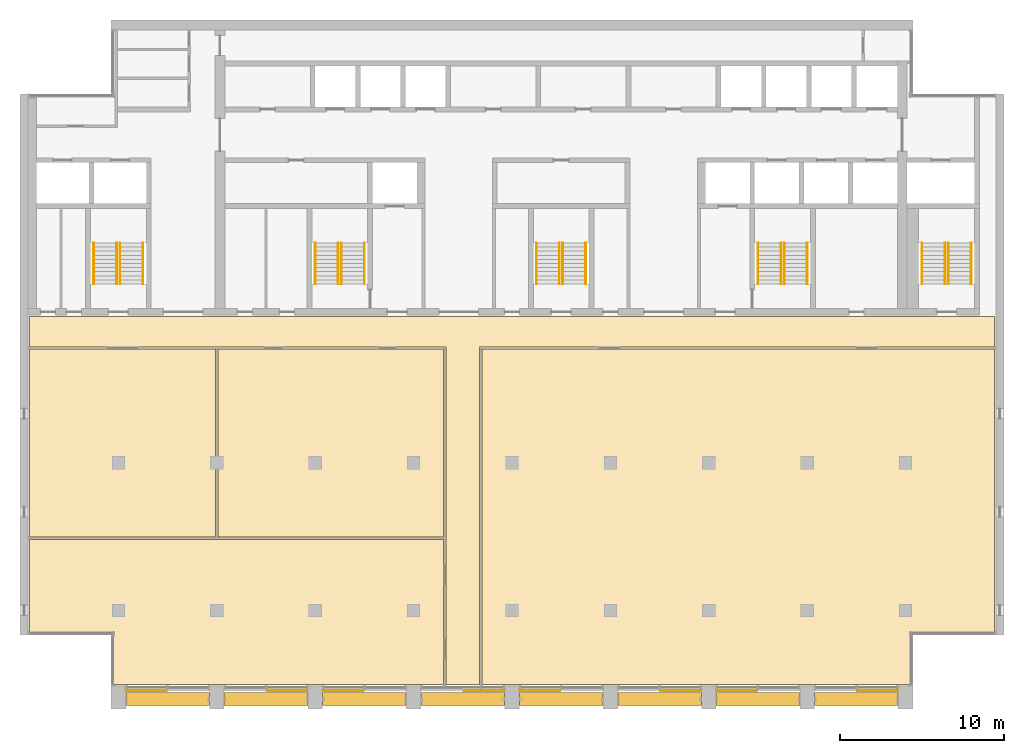
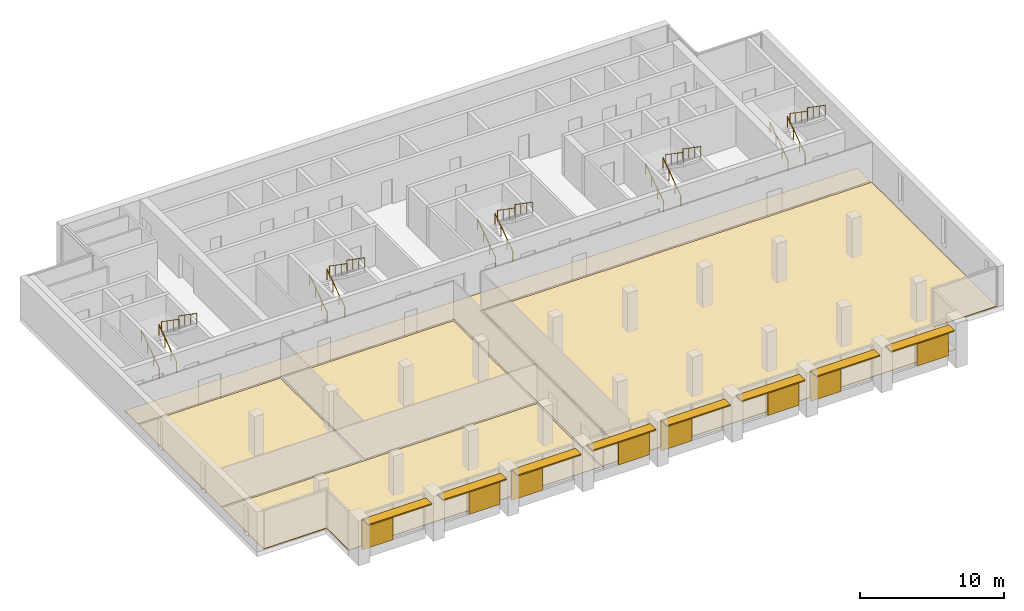
# One storey, part 14 of 14: 20 railings, 16 shading devices, 5 coverings, 5 elements without a shape of their own.
"""IFC4 building model written with IfcOpenShell, lengths in metres."""

from ifc_helpers import new_model, si_unit, direction, frame, origin, origin_2d, place, context, subcontext, project, spatial, polyline, rectangle, circle, outline, extrude, material, layer, layer_set, material_profile, profile_set, type_object, element, aggregate, save


model = new_model("IFC4")

# Units and contexts
model_context = context("Model", 3, precision=1e-05, world=origin(), true_north=direction((0.0, 1.0)))
body_context = subcontext(model_context, "Body", "Model", "MODEL_VIEW")
ifc_project = project(units=[si_unit("LENGTHUNIT", "METRE"), si_unit("AREAUNIT", "SQUARE_METRE"), si_unit("VOLUMEUNIT", "CUBIC_METRE"), si_unit("PLANEANGLEUNIT", "RADIAN"), si_unit("MASSUNIT", "GRAM", prefix="KILO")], contexts=[model_context])

# Site, building, storey
site_placement = place(None, origin())
site = spatial("IfcSite", under=ifc_project, at=site_placement, CompositionType="ELEMENT")
building_placement = place(site_placement, origin())
building = spatial("IfcBuilding", under=site, at=building_placement, Name="Calvaro Tower", CompositionType="ELEMENT")
storey_placement = place(building_placement, frame((0.0, 0.0, 254.550048828125)))
storey = spatial("IfcBuildingStorey", under=building, at=storey_placement, Name="L64", CompositionType="ELEMENT", Elevation=254.550048828125)

# Shading devices
ifc_material_1 = material(Name="Anodised aluminium", Category="aluminium")
ifc_material_profile = material_profile(ifc_material_1, rectangle(XDim=0.800048828125, YDim=0.10009765625, at=origin_2d()), Name="Brise-soleil blade 800 x 100")
ifc_profile_set = profile_set([ifc_material_profile], Name="Anodised aluminium")
shading_device_type_1 = type_object("IfcShadingDeviceType", Name="Brise-soleil blade 800 x 100", PredefinedType="JALOUSIE", material=ifc_profile_set)
for number, where, z_axis, x_axis, name in (
    (1, (12.449951171875, 4.60009765625, 2.64990234375), (1.0, 0.0, 0.0), (0.0, 1.0, 0.0), "Brise-soleil blade 1"),
    (2, (18.449951171875, 4.60009765625, 2.64990234375), (1.0, 0.0, 0.0), (0.0, 1.0, 0.0), "Brise-soleil blade 2"),
    (3, (24.449951171875, 4.60009765625, 2.64990234375), (1.0, 0.0, 0.0), (0.0, 1.0, 0.0), "Brise-soleil blade 3"),
    (4, (30.449951171875, 4.60009765625, 2.64990234375), (1.0, 0.0, 0.0), (0.0, 1.0, 0.0), "Brise-soleil blade 4"),
    (5, (36.449951171875, 4.60009765625, 2.64990234375), (1.0, 0.0, 0.0), (0.0, 1.0, 0.0), "Brise-soleil blade 5"),
    (6, (42.449951171875, 4.60009765625, 2.64990234375), (1.0, 0.0, 0.0), (0.0, 1.0, 0.0), "Brise-soleil blade 6"),
    (7, (48.449951171875, 4.60009765625, 2.64990234375), (1.0, 0.0, 0.0), (0.0, 1.0, 0.0), "Brise-soleil blade 7"),
    (8, (54.449951171875, 4.60009765625, 2.64990234375), (1.0, 0.0, 0.0), (0.0, 1.0, 0.0), "Brise-soleil blade 8"),
):
    element("IfcShadingDevice", number, at=place(storey_placement, frame(where, z_axis=z_axis, x_axis=x_axis)), inside=storey, type_object=shading_device_type_1, Name=name, PredefinedType="JALOUSIE", context=body_context, shape_type="SweptSolid", body=[
        extrude(rectangle(XDim=0.800048828125, YDim=0.10009765625, at=origin_2d()), origin(), (0.0, 0.0, 1.0), 5.10009765625),
    ])

# Coverings
ifc_material_2 = material(Name="Cement screed with carpet tile finish")
ifc_layer_1 = layer(ifc_material_2, 0.050048828125)
ifc_layer_set_1 = layer_set([ifc_layer_1], Name="Cement screed with carpet tile finish")
covering_type = type_object("IfcCoveringType", Name="Floor finish 50", PredefinedType="FLOORING", material=ifc_layer_set_1)
covering_1_placement = place(storey_placement, origin())
element("IfcCovering", 9, at=covering_1_placement, inside=storey, type_object=covering_type, Name="Floor finish 36.01", PredefinedType="FLOORING", context=body_context, shape_type="SweptSolid", body=[
    extrude(outline(polyline([(31.969970703125, 5.469970703125), (31.969970703125, 26.070068359375), (6.570068359375, 26.070068359375), (6.570068359375, 27.929931640625), (65.429931640625, 27.929931640625), (65.429931640625, 26.070068359375), (34.030029296875, 26.070068359375), (34.030029296875, 5.469970703125), (31.969970703125, 5.469970703125)])), origin(), (0.0, 0.0, 1.0), 0.050048828125),
])
covering_2_placement = place(storey_placement, origin())
element("IfcCovering", 10, at=covering_2_placement, inside=storey, type_object=covering_type, Name="Floor finish 36.02", PredefinedType="FLOORING", context=body_context, shape_type="SweptSolid", body=[
    extrude(outline(polyline([(31.830078125, 14.330078125), (31.830078125, 5.469970703125), (11.6201171875, 5.469970703125), (11.6201171875, 8.570068359375), (6.570068359375, 8.570068359375), (6.570068359375, 14.330078125), (31.830078125, 14.330078125)])), origin(), (0.0, 0.0, 1.0), 0.050048828125),
])
covering_3_placement = place(storey_placement, origin())
element("IfcCovering", 11, at=covering_3_placement, inside=storey, type_object=covering_type, Name="Floor finish 36.04", PredefinedType="FLOORING", context=body_context, shape_type="SweptSolid", body=[
    extrude(outline(polyline([(17.929931640625, 25.929931640625), (17.929931640625, 14.469970703125), (6.570068359375, 14.469970703125), (6.570068359375, 25.929931640625), (17.929931640625, 25.929931640625)])), origin(), (0.0, 0.0, 1.0), 0.050048828125),
])
covering_4_placement = place(storey_placement, origin())
element("IfcCovering", 12, at=covering_4_placement, inside=storey, type_object=covering_type, Name="Floor finish 36.05", PredefinedType="FLOORING", context=body_context, shape_type="SweptSolid", body=[
    extrude(outline(polyline([(18.070068359375, 14.469970703125), (18.070068359375, 25.929931640625), (31.830078125, 25.929931640625), (31.830078125, 14.469970703125), (18.070068359375, 14.469970703125)])), origin(), (0.0, 0.0, 1.0), 0.050048828125),
])
covering_5_placement = place(storey_placement, origin())
element("IfcCovering", 13, at=covering_5_placement, inside=storey, type_object=covering_type, Name="Floor finish 36.03", PredefinedType="FLOORING", context=body_context, shape_type="SweptSolid", body=[
    extrude(outline(polyline([(65.429931640625, 8.570068359375), (60.3798828125, 8.570068359375), (60.3798828125, 5.469970703125), (34.169921875, 5.469970703125), (34.169921875, 25.929931640625), (65.429931640625, 25.929931640625), (65.429931640625, 8.570068359375)])), origin(), (0.0, 0.0, 1.0), 0.050048828125),
])

# Shading devices
ifc_material_3 = material(Name="Ceramic")
ifc_layer_2 = layer(ifc_material_3, 0.0400390625)
ifc_layer_set_2 = layer_set([ifc_layer_2], Name="Ceramic")
shading_device_type_2 = type_object("IfcShadingDeviceType", Name="Sliding ceramic screen 2500", PredefinedType="SHUTTER", material=ifc_layer_set_2)
for number, where, z_axis, x_axis, name in (
    (14, (13.699951171875, 5.10009765625, 0.0), (0.0, 0.0, 1.0), (1.0, 0.0, 0.0), "Sliding screen 1"),
    (15, (22.300048828125, 5.10009765625, 0.0), (0.0, 0.0, 1.0), (1.0, 0.0, 0.0), "Sliding screen 2"),
    (16, (25.699951171875, 5.10009765625, 0.0), (0.0, 0.0, 1.0), (1.0, 0.0, 0.0), "Sliding screen 3"),
    (17, (34.300048828125, 5.10009765625, 0.0), (0.0, 0.0, 1.0), (1.0, 0.0, 0.0), "Sliding screen 4"),
    (18, (37.699951171875, 5.10009765625, 0.0), (0.0, 0.0, 1.0), (1.0, 0.0, 0.0), "Sliding screen 5"),
    (19, (46.300048828125, 5.10009765625, 0.0), (0.0, 0.0, 1.0), (1.0, 0.0, 0.0), "Sliding screen 6"),
    (20, (49.699951171875, 5.10009765625, 0.0), (0.0, 0.0, 1.0), (1.0, 0.0, 0.0), "Sliding screen 7"),
    (21, (58.300048828125, 5.10009765625, 0.0), (0.0, 0.0, 1.0), (1.0, 0.0, 0.0), "Sliding screen 8"),
):
    element("IfcShadingDevice", number, at=place(storey_placement, frame(where, z_axis=z_axis, x_axis=x_axis)), inside=storey, type_object=shading_device_type_2, Name=name, PredefinedType="SHUTTER", context=body_context, shape_type="SweptSolid", body=[
        extrude(rectangle(XDim=2.5, YDim=0.0400390625, at=origin_2d()), origin(), (0.0, 0.0, 1.0), 2.60009765625),
    ])

# Stair, railings
ifc_material_4 = material(Name="Concrete C40/50", Category="concrete")
stair_type = type_object("IfcStairType", Name="Exit stair 1400 2 flights", PredefinedType="HALF_TURN_STAIR", material=ifc_material_4)
stair_1_placement = place(storey_placement, origin())
stair_1 = element("IfcStair", 22, at=stair_1_placement, inside=storey, type_object=stair_type, Name="Exit stair S1", PredefinedType="HALF_TURN_STAIR")
ifc_material_5 = material(Name="Stainless steel", Category="steel")
railing_type = type_object("IfcRailingType", Name="Stair handrail", PredefinedType="HANDRAIL", material=ifc_material_5)
railing_1_placement = place(storey_placement, frame((11.89990234375, 29.89990234375, 0.172607421875)))
railing_1 = element("IfcRailing", 23, at=railing_1_placement, type_object=railing_type, Name="Exit stair 1 handrail", PredefinedType="HANDRAIL", context=body_context, shape_type="SweptSolid", body=[
    extrude(circle(Radius=0.02392578125, at=origin_2d()), frame((0.0, 0.0, 0.8759765625), z_axis=(0.0, 0.822726922227, 0.568436813941), x_axis=(-1.0, 0.0, 0.0)), (0.0, 0.0, 1.0), 3.03857421875),
    extrude(circle(Radius=0.02099609375, at=origin_2d()), frame((0.0, 0.017333984375, 0.011962890625)), (0.0, 0.0, 1.0), 0.851806640625),
    extrude(circle(Radius=0.02099609375, at=origin_2d()), frame((0.0, 0.833251953125, 0.57568359375)), (0.0, 0.0, 1.0), 0.851806640625),
    extrude(circle(Radius=0.02099609375, at=origin_2d()), frame((0.0, 1.666748046875, 1.151611328125)), (0.0, 0.0, 1.0), 0.851806640625),
    extrude(circle(Radius=0.02099609375, at=origin_2d()), frame((0.0, 2.482666015625, 1.71533203125)), (0.0, 0.0, 1.0), 0.851806640625),
])
railing_2_placement = place(storey_placement, frame((10.5, 29.89990234375, 0.172607421875)))
railing_2 = element("IfcRailing", 24, at=railing_2_placement, type_object=railing_type, Name="Exit stair 1 handrail", PredefinedType="HANDRAIL", context=body_context, shape_type="SweptSolid", body=[
    extrude(circle(Radius=0.02392578125, at=origin_2d()), frame((0.0, 0.0, 0.8759765625), z_axis=(0.0, 0.822726922227, 0.568436813941), x_axis=(-1.0, 0.0, 0.0)), (0.0, 0.0, 1.0), 3.03857421875),
    extrude(circle(Radius=0.02099609375, at=origin_2d()), frame((0.0, 0.017333984375, 0.011962890625)), (0.0, 0.0, 1.0), 0.851806640625),
    extrude(circle(Radius=0.02099609375, at=origin_2d()), frame((0.0, 0.833251953125, 0.57568359375)), (0.0, 0.0, 1.0), 0.851806640625),
    extrude(circle(Radius=0.02099609375, at=origin_2d()), frame((0.0, 1.666748046875, 1.151611328125)), (0.0, 0.0, 1.0), 0.851806640625),
    extrude(circle(Radius=0.02099609375, at=origin_2d()), frame((0.0, 2.482666015625, 1.71533203125)), (0.0, 0.0, 1.0), 0.851806640625),
])
railing_3_placement = place(storey_placement, frame((12.10009765625, 32.39990234375, 2.07275390625)))
railing_3 = element("IfcRailing", 25, at=railing_3_placement, type_object=railing_type, Name="Exit stair 1 handrail", PredefinedType="HANDRAIL", context=body_context, shape_type="SweptSolid", body=[
    extrude(circle(Radius=0.02392578125, at=origin_2d()), frame((0.0, 0.0, 0.8759765625), z_axis=(0.0, -0.822726922227, 0.568436813941), x_axis=(1.0, 0.0, 0.0)), (0.0, 0.0, 1.0), 3.03857421875),
    extrude(circle(Radius=0.02099609375, at=origin_2d()), frame((0.0, -0.017333984375, 0.011962890625)), (0.0, 0.0, 1.0), 0.851806640625),
    extrude(circle(Radius=0.02099609375, at=origin_2d()), frame((0.0, -0.833251953125, 0.57568359375)), (0.0, 0.0, 1.0), 0.851806640625),
    extrude(circle(Radius=0.02099609375, at=origin_2d()), frame((0.0, -1.666748046875, 1.151611328125)), (0.0, 0.0, 1.0), 0.851806640625),
    extrude(circle(Radius=0.02099609375, at=origin_2d()), frame((0.0, -2.482666015625, 1.71533203125)), (0.0, 0.0, 1.0), 0.851806640625),
])
railing_4_placement = place(storey_placement, frame((13.5, 32.39990234375, 2.07275390625)))
railing_4 = element("IfcRailing", 26, at=railing_4_placement, type_object=railing_type, Name="Exit stair 1 handrail", PredefinedType="HANDRAIL", context=body_context, shape_type="SweptSolid", body=[
    extrude(circle(Radius=0.02392578125, at=origin_2d()), frame((0.0, 0.0, 0.8759765625), z_axis=(0.0, -0.822726922227, 0.568436813941), x_axis=(1.0, 0.0, 0.0)), (0.0, 0.0, 1.0), 3.03857421875),
    extrude(circle(Radius=0.02099609375, at=origin_2d()), frame((0.0, -0.017333984375, 0.011962890625)), (0.0, 0.0, 1.0), 0.851806640625),
    extrude(circle(Radius=0.02099609375, at=origin_2d()), frame((0.0, -0.833251953125, 0.57568359375)), (0.0, 0.0, 1.0), 0.851806640625),
    extrude(circle(Radius=0.02099609375, at=origin_2d()), frame((0.0, -1.666748046875, 1.151611328125)), (0.0, 0.0, 1.0), 0.851806640625),
    extrude(circle(Radius=0.02099609375, at=origin_2d()), frame((0.0, -2.482666015625, 1.71533203125)), (0.0, 0.0, 1.0), 0.851806640625),
])
aggregate(stair_1, [railing_1, railing_2, railing_3, railing_4])

stair_2_placement = place(storey_placement, origin())
stair_2 = element("IfcStair", 27, at=stair_2_placement, inside=storey, type_object=stair_type, Name="Exit stair S2", PredefinedType="HALF_TURN_STAIR")
railing_5_placement = place(storey_placement, frame((25.39990234375, 29.89990234375, 0.172607421875)))
railing_5 = element("IfcRailing", 28, at=railing_5_placement, type_object=railing_type, Name="Exit stair 2 handrail", PredefinedType="HANDRAIL", context=body_context, shape_type="SweptSolid", body=[
    extrude(circle(Radius=0.02392578125, at=origin_2d()), frame((0.0, 0.0, 0.8759765625), z_axis=(0.0, 0.822726922227, 0.568436813941), x_axis=(-1.0, 0.0, 0.0)), (0.0, 0.0, 1.0), 3.03857421875),
    extrude(circle(Radius=0.02099609375, at=origin_2d()), frame((0.0, 0.017333984375, 0.011962890625)), (0.0, 0.0, 1.0), 0.851806640625),
    extrude(circle(Radius=0.02099609375, at=origin_2d()), frame((0.0, 0.833251953125, 0.57568359375)), (0.0, 0.0, 1.0), 0.851806640625),
    extrude(circle(Radius=0.02099609375, at=origin_2d()), frame((0.0, 1.666748046875, 1.151611328125)), (0.0, 0.0, 1.0), 0.851806640625),
    extrude(circle(Radius=0.02099609375, at=origin_2d()), frame((0.0, 2.482666015625, 1.71533203125)), (0.0, 0.0, 1.0), 0.851806640625),
])
railing_6_placement = place(storey_placement, frame((24.0, 29.89990234375, 0.172607421875)))
railing_6 = element("IfcRailing", 29, at=railing_6_placement, type_object=railing_type, Name="Exit stair 2 handrail", PredefinedType="HANDRAIL", context=body_context, shape_type="SweptSolid", body=[
    extrude(circle(Radius=0.02392578125, at=origin_2d()), frame((0.0, 0.0, 0.8759765625), z_axis=(0.0, 0.822726922227, 0.568436813941), x_axis=(-1.0, 0.0, 0.0)), (0.0, 0.0, 1.0), 3.03857421875),
    extrude(circle(Radius=0.02099609375, at=origin_2d()), frame((0.0, 0.017333984375, 0.011962890625)), (0.0, 0.0, 1.0), 0.851806640625),
    extrude(circle(Radius=0.02099609375, at=origin_2d()), frame((0.0, 0.833251953125, 0.57568359375)), (0.0, 0.0, 1.0), 0.851806640625),
    extrude(circle(Radius=0.02099609375, at=origin_2d()), frame((0.0, 1.666748046875, 1.151611328125)), (0.0, 0.0, 1.0), 0.851806640625),
    extrude(circle(Radius=0.02099609375, at=origin_2d()), frame((0.0, 2.482666015625, 1.71533203125)), (0.0, 0.0, 1.0), 0.851806640625),
])
railing_7_placement = place(storey_placement, frame((25.60009765625, 32.39990234375, 2.07275390625)))
railing_7 = element("IfcRailing", 30, at=railing_7_placement, type_object=railing_type, Name="Exit stair 2 handrail", PredefinedType="HANDRAIL", context=body_context, shape_type="SweptSolid", body=[
    extrude(circle(Radius=0.02392578125, at=origin_2d()), frame((0.0, 0.0, 0.8759765625), z_axis=(0.0, -0.822726922227, 0.568436813941), x_axis=(1.0, 0.0, 0.0)), (0.0, 0.0, 1.0), 3.03857421875),
    extrude(circle(Radius=0.02099609375, at=origin_2d()), frame((0.0, -0.017333984375, 0.011962890625)), (0.0, 0.0, 1.0), 0.851806640625),
    extrude(circle(Radius=0.02099609375, at=origin_2d()), frame((0.0, -0.833251953125, 0.57568359375)), (0.0, 0.0, 1.0), 0.851806640625),
    extrude(circle(Radius=0.02099609375, at=origin_2d()), frame((0.0, -1.666748046875, 1.151611328125)), (0.0, 0.0, 1.0), 0.851806640625),
    extrude(circle(Radius=0.02099609375, at=origin_2d()), frame((0.0, -2.482666015625, 1.71533203125)), (0.0, 0.0, 1.0), 0.851806640625),
])
railing_8_placement = place(storey_placement, frame((27.0, 32.39990234375, 2.07275390625)))
railing_8 = element("IfcRailing", 31, at=railing_8_placement, type_object=railing_type, Name="Exit stair 2 handrail", PredefinedType="HANDRAIL", context=body_context, shape_type="SweptSolid", body=[
    extrude(circle(Radius=0.02392578125, at=origin_2d()), frame((0.0, 0.0, 0.8759765625), z_axis=(0.0, -0.822726922227, 0.568436813941), x_axis=(1.0, 0.0, 0.0)), (0.0, 0.0, 1.0), 3.03857421875),
    extrude(circle(Radius=0.02099609375, at=origin_2d()), frame((0.0, -0.017333984375, 0.011962890625)), (0.0, 0.0, 1.0), 0.851806640625),
    extrude(circle(Radius=0.02099609375, at=origin_2d()), frame((0.0, -0.833251953125, 0.57568359375)), (0.0, 0.0, 1.0), 0.851806640625),
    extrude(circle(Radius=0.02099609375, at=origin_2d()), frame((0.0, -1.666748046875, 1.151611328125)), (0.0, 0.0, 1.0), 0.851806640625),
    extrude(circle(Radius=0.02099609375, at=origin_2d()), frame((0.0, -2.482666015625, 1.71533203125)), (0.0, 0.0, 1.0), 0.851806640625),
])
aggregate(stair_2, [railing_5, railing_6, railing_7, railing_8])

stair_3_placement = place(storey_placement, origin())
stair_3 = element("IfcStair", 32, at=stair_3_placement, inside=storey, type_object=stair_type, Name="Exit stair S3", PredefinedType="HALF_TURN_STAIR")
railing_9_placement = place(storey_placement, frame((38.89990234375, 29.89990234375, 0.172607421875)))
railing_9 = element("IfcRailing", 33, at=railing_9_placement, type_object=railing_type, Name="Exit stair 3 handrail", PredefinedType="HANDRAIL", context=body_context, shape_type="SweptSolid", body=[
    extrude(circle(Radius=0.02392578125, at=origin_2d()), frame((0.0, 0.0, 0.8759765625), z_axis=(0.0, 0.822726922227, 0.568436813941), x_axis=(-1.0, 0.0, 0.0)), (0.0, 0.0, 1.0), 3.03857421875),
    extrude(circle(Radius=0.02099609375, at=origin_2d()), frame((0.0, 0.017333984375, 0.011962890625)), (0.0, 0.0, 1.0), 0.851806640625),
    extrude(circle(Radius=0.02099609375, at=origin_2d()), frame((0.0, 0.833251953125, 0.57568359375)), (0.0, 0.0, 1.0), 0.851806640625),
    extrude(circle(Radius=0.02099609375, at=origin_2d()), frame((0.0, 1.666748046875, 1.151611328125)), (0.0, 0.0, 1.0), 0.851806640625),
    extrude(circle(Radius=0.02099609375, at=origin_2d()), frame((0.0, 2.482666015625, 1.71533203125)), (0.0, 0.0, 1.0), 0.851806640625),
])
railing_10_placement = place(storey_placement, frame((37.5, 29.89990234375, 0.172607421875)))
railing_10 = element("IfcRailing", 34, at=railing_10_placement, type_object=railing_type, Name="Exit stair 3 handrail", PredefinedType="HANDRAIL", context=body_context, shape_type="SweptSolid", body=[
    extrude(circle(Radius=0.02392578125, at=origin_2d()), frame((0.0, 0.0, 0.8759765625), z_axis=(0.0, 0.822726922227, 0.568436813941), x_axis=(-1.0, 0.0, 0.0)), (0.0, 0.0, 1.0), 3.03857421875),
    extrude(circle(Radius=0.02099609375, at=origin_2d()), frame((0.0, 0.017333984375, 0.011962890625)), (0.0, 0.0, 1.0), 0.851806640625),
    extrude(circle(Radius=0.02099609375, at=origin_2d()), frame((0.0, 0.833251953125, 0.57568359375)), (0.0, 0.0, 1.0), 0.851806640625),
    extrude(circle(Radius=0.02099609375, at=origin_2d()), frame((0.0, 1.666748046875, 1.151611328125)), (0.0, 0.0, 1.0), 0.851806640625),
    extrude(circle(Radius=0.02099609375, at=origin_2d()), frame((0.0, 2.482666015625, 1.71533203125)), (0.0, 0.0, 1.0), 0.851806640625),
])
railing_11_placement = place(storey_placement, frame((39.10009765625, 32.39990234375, 2.07275390625)))
railing_11 = element("IfcRailing", 35, at=railing_11_placement, type_object=railing_type, Name="Exit stair 3 handrail", PredefinedType="HANDRAIL", context=body_context, shape_type="SweptSolid", body=[
    extrude(circle(Radius=0.02392578125, at=origin_2d()), frame((0.0, 0.0, 0.8759765625), z_axis=(0.0, -0.822726922227, 0.568436813941), x_axis=(1.0, 0.0, 0.0)), (0.0, 0.0, 1.0), 3.03857421875),
    extrude(circle(Radius=0.02099609375, at=origin_2d()), frame((0.0, -0.017333984375, 0.011962890625)), (0.0, 0.0, 1.0), 0.851806640625),
    extrude(circle(Radius=0.02099609375, at=origin_2d()), frame((0.0, -0.833251953125, 0.57568359375)), (0.0, 0.0, 1.0), 0.851806640625),
    extrude(circle(Radius=0.02099609375, at=origin_2d()), frame((0.0, -1.666748046875, 1.151611328125)), (0.0, 0.0, 1.0), 0.851806640625),
    extrude(circle(Radius=0.02099609375, at=origin_2d()), frame((0.0, -2.482666015625, 1.71533203125)), (0.0, 0.0, 1.0), 0.851806640625),
])
railing_12_placement = place(storey_placement, frame((40.5, 32.39990234375, 2.07275390625)))
railing_12 = element("IfcRailing", 36, at=railing_12_placement, type_object=railing_type, Name="Exit stair 3 handrail", PredefinedType="HANDRAIL", context=body_context, shape_type="SweptSolid", body=[
    extrude(circle(Radius=0.02392578125, at=origin_2d()), frame((0.0, 0.0, 0.8759765625), z_axis=(0.0, -0.822726922227, 0.568436813941), x_axis=(1.0, 0.0, 0.0)), (0.0, 0.0, 1.0), 3.03857421875),
    extrude(circle(Radius=0.02099609375, at=origin_2d()), frame((0.0, -0.017333984375, 0.011962890625)), (0.0, 0.0, 1.0), 0.851806640625),
    extrude(circle(Radius=0.02099609375, at=origin_2d()), frame((0.0, -0.833251953125, 0.57568359375)), (0.0, 0.0, 1.0), 0.851806640625),
    extrude(circle(Radius=0.02099609375, at=origin_2d()), frame((0.0, -1.666748046875, 1.151611328125)), (0.0, 0.0, 1.0), 0.851806640625),
    extrude(circle(Radius=0.02099609375, at=origin_2d()), frame((0.0, -2.482666015625, 1.71533203125)), (0.0, 0.0, 1.0), 0.851806640625),
])
aggregate(stair_3, [railing_9, railing_10, railing_11, railing_12])

stair_4_placement = place(storey_placement, origin())
stair_4 = element("IfcStair", 37, at=stair_4_placement, inside=storey, type_object=stair_type, Name="Exit stair S4", PredefinedType="HALF_TURN_STAIR")
railing_13_placement = place(storey_placement, frame((52.39990234375, 29.89990234375, 0.172607421875)))
railing_13 = element("IfcRailing", 38, at=railing_13_placement, type_object=railing_type, Name="Exit stair 4 handrail", PredefinedType="HANDRAIL", context=body_context, shape_type="SweptSolid", body=[
    extrude(circle(Radius=0.02392578125, at=origin_2d()), frame((0.0, 0.0, 0.8759765625), z_axis=(0.0, 0.822726922227, 0.568436813941), x_axis=(-1.0, 0.0, 0.0)), (0.0, 0.0, 1.0), 3.03857421875),
    extrude(circle(Radius=0.02099609375, at=origin_2d()), frame((0.0, 0.017333984375, 0.011962890625)), (0.0, 0.0, 1.0), 0.851806640625),
    extrude(circle(Radius=0.02099609375, at=origin_2d()), frame((0.0, 0.833251953125, 0.57568359375)), (0.0, 0.0, 1.0), 0.851806640625),
    extrude(circle(Radius=0.02099609375, at=origin_2d()), frame((0.0, 1.666748046875, 1.151611328125)), (0.0, 0.0, 1.0), 0.851806640625),
    extrude(circle(Radius=0.02099609375, at=origin_2d()), frame((0.0, 2.482666015625, 1.71533203125)), (0.0, 0.0, 1.0), 0.851806640625),
])
railing_14_placement = place(storey_placement, frame((51.0, 29.89990234375, 0.172607421875)))
railing_14 = element("IfcRailing", 39, at=railing_14_placement, type_object=railing_type, Name="Exit stair 4 handrail", PredefinedType="HANDRAIL", context=body_context, shape_type="SweptSolid", body=[
    extrude(circle(Radius=0.02392578125, at=origin_2d()), frame((0.0, 0.0, 0.8759765625), z_axis=(0.0, 0.822726922227, 0.568436813941), x_axis=(-1.0, 0.0, 0.0)), (0.0, 0.0, 1.0), 3.03857421875),
    extrude(circle(Radius=0.02099609375, at=origin_2d()), frame((0.0, 0.017333984375, 0.011962890625)), (0.0, 0.0, 1.0), 0.851806640625),
    extrude(circle(Radius=0.02099609375, at=origin_2d()), frame((0.0, 0.833251953125, 0.57568359375)), (0.0, 0.0, 1.0), 0.851806640625),
    extrude(circle(Radius=0.02099609375, at=origin_2d()), frame((0.0, 1.666748046875, 1.151611328125)), (0.0, 0.0, 1.0), 0.851806640625),
    extrude(circle(Radius=0.02099609375, at=origin_2d()), frame((0.0, 2.482666015625, 1.71533203125)), (0.0, 0.0, 1.0), 0.851806640625),
])
railing_15_placement = place(storey_placement, frame((52.60009765625, 32.39990234375, 2.07275390625)))
railing_15 = element("IfcRailing", 40, at=railing_15_placement, type_object=railing_type, Name="Exit stair 4 handrail", PredefinedType="HANDRAIL", context=body_context, shape_type="SweptSolid", body=[
    extrude(circle(Radius=0.02392578125, at=origin_2d()), frame((0.0, 0.0, 0.8759765625), z_axis=(0.0, -0.822726922227, 0.568436813941), x_axis=(1.0, 0.0, 0.0)), (0.0, 0.0, 1.0), 3.03857421875),
    extrude(circle(Radius=0.02099609375, at=origin_2d()), frame((0.0, -0.017333984375, 0.011962890625)), (0.0, 0.0, 1.0), 0.851806640625),
    extrude(circle(Radius=0.02099609375, at=origin_2d()), frame((0.0, -0.833251953125, 0.57568359375)), (0.0, 0.0, 1.0), 0.851806640625),
    extrude(circle(Radius=0.02099609375, at=origin_2d()), frame((0.0, -1.666748046875, 1.151611328125)), (0.0, 0.0, 1.0), 0.851806640625),
    extrude(circle(Radius=0.02099609375, at=origin_2d()), frame((0.0, -2.482666015625, 1.71533203125)), (0.0, 0.0, 1.0), 0.851806640625),
])
railing_16_placement = place(storey_placement, frame((54.0, 32.39990234375, 2.07275390625)))
railing_16 = element("IfcRailing", 41, at=railing_16_placement, type_object=railing_type, Name="Exit stair 4 handrail", PredefinedType="HANDRAIL", context=body_context, shape_type="SweptSolid", body=[
    extrude(circle(Radius=0.02392578125, at=origin_2d()), frame((0.0, 0.0, 0.8759765625), z_axis=(0.0, -0.822726922227, 0.568436813941), x_axis=(1.0, 0.0, 0.0)), (0.0, 0.0, 1.0), 3.03857421875),
    extrude(circle(Radius=0.02099609375, at=origin_2d()), frame((0.0, -0.017333984375, 0.011962890625)), (0.0, 0.0, 1.0), 0.851806640625),
    extrude(circle(Radius=0.02099609375, at=origin_2d()), frame((0.0, -0.833251953125, 0.57568359375)), (0.0, 0.0, 1.0), 0.851806640625),
    extrude(circle(Radius=0.02099609375, at=origin_2d()), frame((0.0, -1.666748046875, 1.151611328125)), (0.0, 0.0, 1.0), 0.851806640625),
    extrude(circle(Radius=0.02099609375, at=origin_2d()), frame((0.0, -2.482666015625, 1.71533203125)), (0.0, 0.0, 1.0), 0.851806640625),
])
aggregate(stair_4, [railing_13, railing_14, railing_15, railing_16])

stair_5_placement = place(storey_placement, origin())
stair_5 = element("IfcStair", 42, at=stair_5_placement, inside=storey, type_object=stair_type, Name="Exit stair S5", PredefinedType="HALF_TURN_STAIR")
railing_17_placement = place(storey_placement, frame((62.39990234375, 29.89990234375, 0.172607421875)))
railing_17 = element("IfcRailing", 43, at=railing_17_placement, type_object=railing_type, Name="Exit stair 5 handrail", PredefinedType="HANDRAIL", context=body_context, shape_type="SweptSolid", body=[
    extrude(circle(Radius=0.02392578125, at=origin_2d()), frame((0.0, 0.0, 0.8759765625), z_axis=(0.0, 0.822726922227, 0.568436813941), x_axis=(-1.0, 0.0, 0.0)), (0.0, 0.0, 1.0), 3.03857421875),
    extrude(circle(Radius=0.02099609375, at=origin_2d()), frame((0.0, 0.017333984375, 0.011962890625)), (0.0, 0.0, 1.0), 0.851806640625),
    extrude(circle(Radius=0.02099609375, at=origin_2d()), frame((0.0, 0.833251953125, 0.57568359375)), (0.0, 0.0, 1.0), 0.851806640625),
    extrude(circle(Radius=0.02099609375, at=origin_2d()), frame((0.0, 1.666748046875, 1.151611328125)), (0.0, 0.0, 1.0), 0.851806640625),
    extrude(circle(Radius=0.02099609375, at=origin_2d()), frame((0.0, 2.482666015625, 1.71533203125)), (0.0, 0.0, 1.0), 0.851806640625),
])
railing_18_placement = place(storey_placement, frame((61.0, 29.89990234375, 0.172607421875)))
railing_18 = element("IfcRailing", 44, at=railing_18_placement, type_object=railing_type, Name="Exit stair 5 handrail", PredefinedType="HANDRAIL", context=body_context, shape_type="SweptSolid", body=[
    extrude(circle(Radius=0.02392578125, at=origin_2d()), frame((0.0, 0.0, 0.8759765625), z_axis=(0.0, 0.822726922227, 0.568436813941), x_axis=(-1.0, 0.0, 0.0)), (0.0, 0.0, 1.0), 3.03857421875),
    extrude(circle(Radius=0.02099609375, at=origin_2d()), frame((0.0, 0.017333984375, 0.011962890625)), (0.0, 0.0, 1.0), 0.851806640625),
    extrude(circle(Radius=0.02099609375, at=origin_2d()), frame((0.0, 0.833251953125, 0.57568359375)), (0.0, 0.0, 1.0), 0.851806640625),
    extrude(circle(Radius=0.02099609375, at=origin_2d()), frame((0.0, 1.666748046875, 1.151611328125)), (0.0, 0.0, 1.0), 0.851806640625),
    extrude(circle(Radius=0.02099609375, at=origin_2d()), frame((0.0, 2.482666015625, 1.71533203125)), (0.0, 0.0, 1.0), 0.851806640625),
])
railing_19_placement = place(storey_placement, frame((62.60009765625, 32.39990234375, 2.07275390625)))
railing_19 = element("IfcRailing", 45, at=railing_19_placement, type_object=railing_type, Name="Exit stair 5 handrail", PredefinedType="HANDRAIL", context=body_context, shape_type="SweptSolid", body=[
    extrude(circle(Radius=0.02392578125, at=origin_2d()), frame((0.0, 0.0, 0.8759765625), z_axis=(0.0, -0.822726922227, 0.568436813941), x_axis=(1.0, 0.0, 0.0)), (0.0, 0.0, 1.0), 3.03857421875),
    extrude(circle(Radius=0.02099609375, at=origin_2d()), frame((0.0, -0.017333984375, 0.011962890625)), (0.0, 0.0, 1.0), 0.851806640625),
    extrude(circle(Radius=0.02099609375, at=origin_2d()), frame((0.0, -0.833251953125, 0.57568359375)), (0.0, 0.0, 1.0), 0.851806640625),
    extrude(circle(Radius=0.02099609375, at=origin_2d()), frame((0.0, -1.666748046875, 1.151611328125)), (0.0, 0.0, 1.0), 0.851806640625),
    extrude(circle(Radius=0.02099609375, at=origin_2d()), frame((0.0, -2.482666015625, 1.71533203125)), (0.0, 0.0, 1.0), 0.851806640625),
])
railing_20_placement = place(storey_placement, frame((64.0, 32.39990234375, 2.07275390625)))
railing_20 = element("IfcRailing", 46, at=railing_20_placement, type_object=railing_type, Name="Exit stair 5 handrail", PredefinedType="HANDRAIL", context=body_context, shape_type="SweptSolid", body=[
    extrude(circle(Radius=0.02392578125, at=origin_2d()), frame((0.0, 0.0, 0.8759765625), z_axis=(0.0, -0.822726922227, 0.568436813941), x_axis=(1.0, 0.0, 0.0)), (0.0, 0.0, 1.0), 3.03857421875),
    extrude(circle(Radius=0.02099609375, at=origin_2d()), frame((0.0, -0.017333984375, 0.011962890625)), (0.0, 0.0, 1.0), 0.851806640625),
    extrude(circle(Radius=0.02099609375, at=origin_2d()), frame((0.0, -0.833251953125, 0.57568359375)), (0.0, 0.0, 1.0), 0.851806640625),
    extrude(circle(Radius=0.02099609375, at=origin_2d()), frame((0.0, -1.666748046875, 1.151611328125)), (0.0, 0.0, 1.0), 0.851806640625),
    extrude(circle(Radius=0.02099609375, at=origin_2d()), frame((0.0, -2.482666015625, 1.71533203125)), (0.0, 0.0, 1.0), 0.851806640625),
])
aggregate(stair_5, [railing_17, railing_18, railing_19, railing_20])

save(model, "model.ifc")
